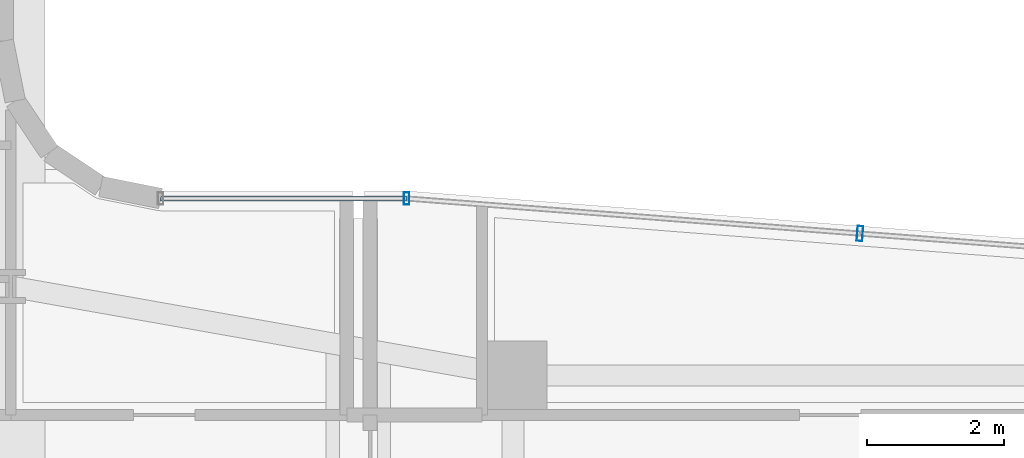
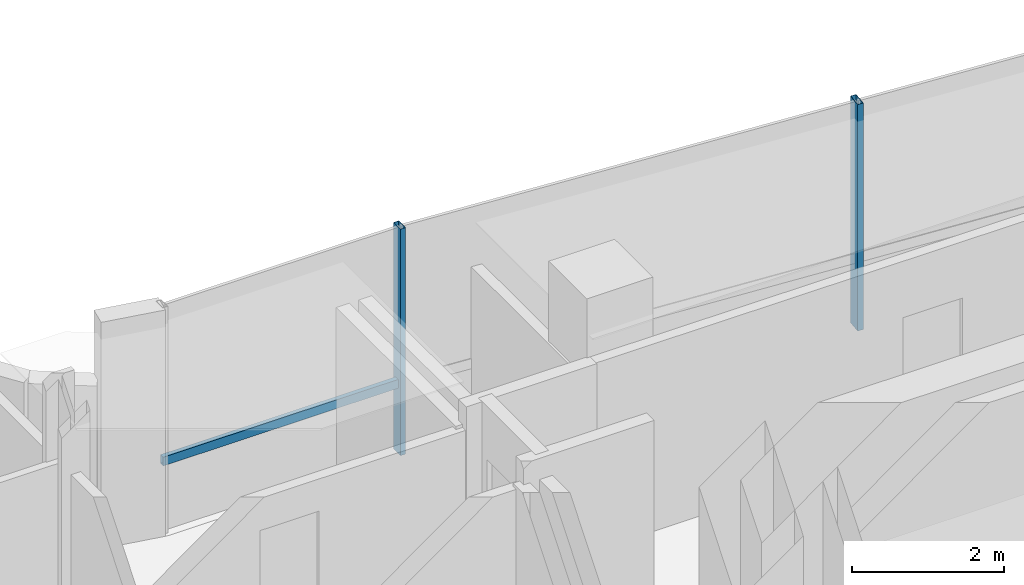
# One storey, part 22 of 38: 3 members, 2 elements without a shape of their own.
"""IFC4 building model written with IfcOpenShell, lengths in metres."""

from ifc_helpers import new_model, si_unit, direction, frame, origin, origin_2d, place, context, subcontext, project, spatial, hollow_rectangle, extrude, source, transform, mapped, material, material_profile, profile_set, type_object, element, aggregate, save


model = new_model("IFC4")

# Units and contexts
model_context = context("Model", 3, precision=1e-05, world=origin(), true_north=direction((0.0, 1.0)))
body_context = subcontext(model_context, "Body", "Model", "MODEL_VIEW")
ifc_project = project(units=[si_unit("LENGTHUNIT", "METRE"), si_unit("AREAUNIT", "SQUARE_METRE"), si_unit("VOLUMEUNIT", "CUBIC_METRE"), si_unit("PLANEANGLEUNIT", "RADIAN"), si_unit("MASSUNIT", "GRAM", prefix="KILO")], contexts=[model_context])

# Site, building, storey
site_placement = place(None, origin())
site = spatial("IfcSite", under=ifc_project, at=site_placement, CompositionType="ELEMENT")
building_placement = place(site_placement, origin())
building = spatial("IfcBuilding", under=site, at=building_placement, Name="Valdorenza Pilgrim Sanctuary Tower", CompositionType="ELEMENT")
storey_placement = place(building_placement, frame((0.0, 0.0, 180.5)))
storey = spatial("IfcBuildingStorey", under=building, at=storey_placement, Name="L46", CompositionType="ELEMENT", Elevation=180.5)

# Curtain wall, members
ifc_material_1 = material(Name="Curtain-wall IGU glazing", Category="glass")
curtain_wall_type_1 = type_object("IfcCurtainWallType", Name="CW-SYS-05", PredefinedType="NOTDEFINED", material=ifc_material_1)
curtain_wall_1_placement = place(storey_placement, origin())
curtain_wall_1 = element("IfcCurtainWall", 1, at=curtain_wall_1_placement, inside=storey, type_object=curtain_wall_type_1, Name="L46 Curtain Wall CW-L46-1-31", PredefinedType="NOTDEFINED")
ifc_material_2 = material(Name="Anodised aluminium AW-6060", Category="aluminium")
ifc_material_profile_1 = material_profile(ifc_material_2, hollow_rectangle(XDim=0.070068359375, YDim=0.139892578125, WallThickness=0.00341796875, at=origin_2d()), Name="ALU-T 140x70x3.5")
ifc_profile_set_1 = profile_set([ifc_material_profile_1], Name="Anodised aluminium AW-6060")
member_type_1 = type_object("IfcMemberType", Name="CW-TRN-05", PredefinedType="USERDEFINED", material=ifc_profile_set_1)
shared_shape_1 = source(origin(), body_context, "Body", "SweptSolid", [
    extrude(hollow_rectangle(XDim=0.070068359375, YDim=0.139892578125, WallThickness=0.00341796875, at=origin_2d()), origin(), (0.0, 0.0, 1.0), 3.6025390625),
])
member_1_placement = place(storey_placement, frame((10.693115234375, 16.090087890625, 1.1201171875), z_axis=(1.0, 0.0, 0.0), x_axis=(0.0, 1.0, 0.0)))
member_1 = element("IfcMember", 2, at=member_1_placement, type_object=member_type_1, Name="CW-L46-1-31 Transom 1", ObjectType="TRANSOM", PredefinedType="USERDEFINED", context=body_context, shape_type="MappedRepresentation", body=[
    mapped(shared_shape_1, transform((0.0, 0.0, 0.0), x_axis=(1.0, 0.0, 0.0), y_axis=(0.0, 1.0, 0.0), z_axis=(0.0, 0.0, 1.0), scale=1.0)),
])
ifc_material_profile_2 = material_profile(ifc_material_2, hollow_rectangle(XDim=0.080078125, YDim=0.179931640625, WallThickness=0.00439453125, at=origin_2d()), Name="ALU-M 180x80x4.5")
ifc_profile_set_2 = profile_set([ifc_material_profile_2], Name="Anodised aluminium AW-6060")
member_type_2 = type_object("IfcMemberType", Name="CW-MUL-05", PredefinedType="MULLION", material=ifc_profile_set_2)
shared_shape_2 = source(origin(), body_context, "Body", "SweptSolid", [
    extrude(hollow_rectangle(XDim=0.080078125, YDim=0.179931640625, WallThickness=0.00439453125, at=origin_2d()), origin(), (0.0, 0.0, 1.0), 3.6298828125),
])
member_2_placement = place(storey_placement, frame((14.295654296875, 16.090087890625, 0.0), z_axis=(0.0, 0.0, 1.0), x_axis=(1.0, 0.0, 0.0)))
member_2 = element("IfcMember", 3, at=member_2_placement, type_object=member_type_2, Name="CW-L46-1-31 Mullion 2", PredefinedType="MULLION", context=body_context, shape_type="MappedRepresentation", body=[
    mapped(shared_shape_2, transform((0.0, 0.0, 0.0), x_axis=(1.0, 0.0, 0.0), y_axis=(0.0, 1.0, 0.0), z_axis=(0.0, 0.0, 1.0), scale=1.0)),
])
aggregate(curtain_wall_1, [member_2, member_1])

# Curtain wall, member
curtain_wall_type_2 = type_object("IfcCurtainWallType", Name="CW-SYS-03", PredefinedType="NOTDEFINED", material=ifc_material_1)
curtain_wall_2_placement = place(storey_placement, origin())
curtain_wall_2 = element("IfcCurtainWall", 4, at=curtain_wall_2_placement, inside=storey, type_object=curtain_wall_type_2, Name="L46 Curtain Wall CW-L46-1-32", PredefinedType="NOTDEFINED")
ifc_material_profile_3 = material_profile(ifc_material_2, hollow_rectangle(XDim=0.0849609375, YDim=0.219970703125, WallThickness=0.0048828125, at=origin_2d()), Name="ALU-M 220x85x5")
ifc_profile_set_3 = profile_set([ifc_material_profile_3], Name="Anodised aluminium AW-6060")
member_type_3 = type_object("IfcMemberType", Name="CW-MUL-03", PredefinedType="MULLION", material=ifc_profile_set_3)
shared_shape_3 = source(origin(), body_context, "Body", "SweptSolid", [
    extrude(hollow_rectangle(XDim=0.0849609375, YDim=0.219970703125, WallThickness=0.0048828125, at=origin_2d()), origin(), (0.0, 0.0, 1.0), 3.6298828125),
])
member_3_placement = place(storey_placement, frame((20.93115234375, 15.576416015625, 0.0), z_axis=(0.0, 0.0, 1.0), x_axis=(0.997016488532, -0.077188869631, 0.0)))
member_3 = element("IfcMember", 5, at=member_3_placement, type_object=member_type_3, Name="CW-L46-1-32 Mullion 2", PredefinedType="MULLION", context=body_context, shape_type="MappedRepresentation", body=[
    mapped(shared_shape_3, transform((0.0, 0.0, 0.0), x_axis=(1.0, 0.0, 0.0), y_axis=(0.0, 1.0, 0.0), z_axis=(0.0, 0.0, 1.0), scale=1.0)),
])
aggregate(curtain_wall_2, [member_3])

save(model, "model.ifc")
